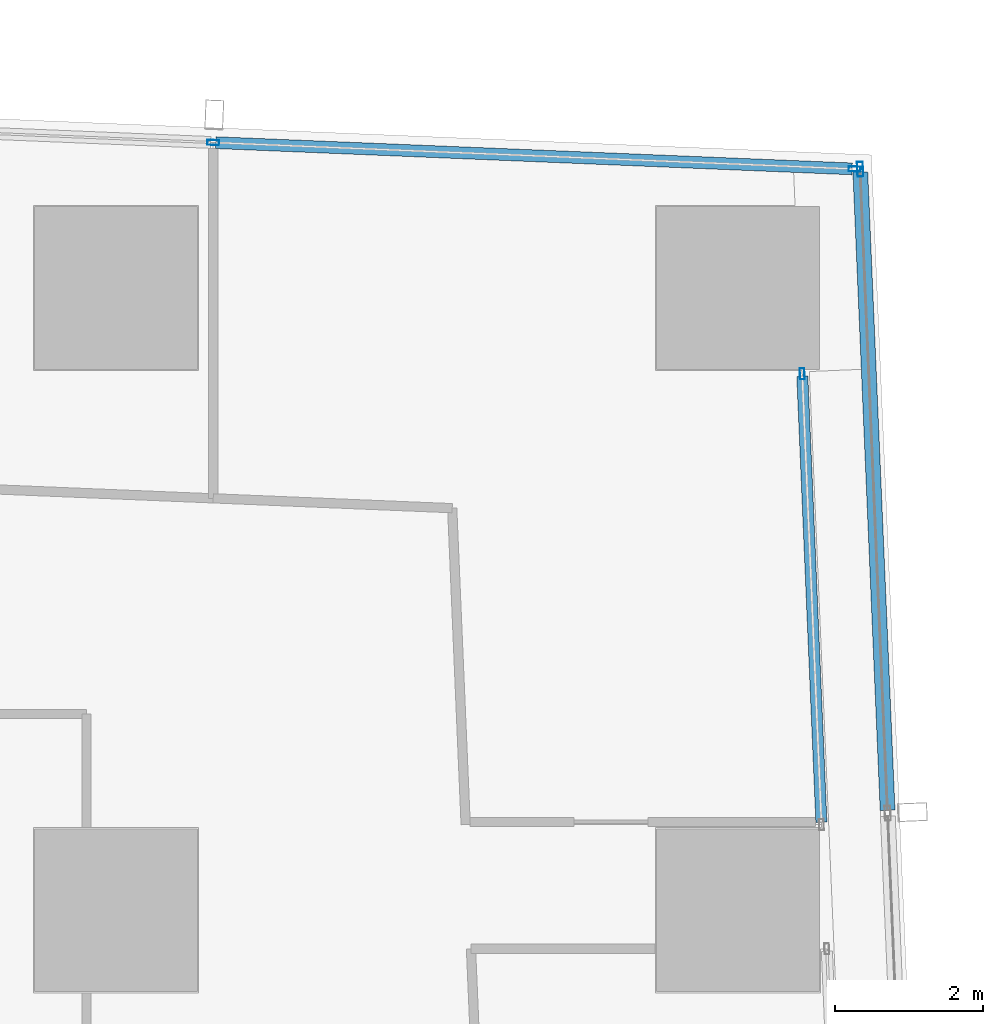
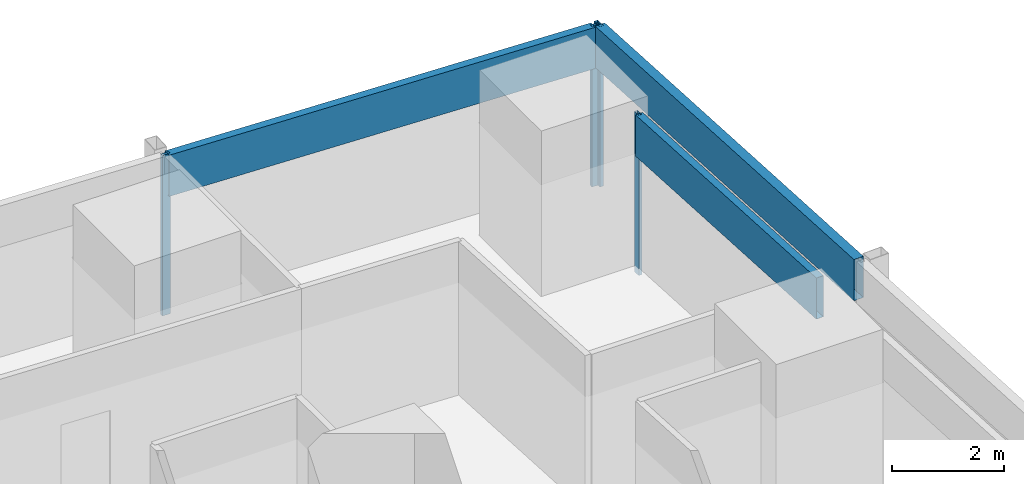
# One storey, part 23 of 44: 7 members, 3 elements without a shape of their own.
"""IFC4 building model written with IfcOpenShell, lengths in metres."""

from ifc_helpers import new_model, si_unit, direction, frame, origin, origin_2d, place, context, subcontext, project, spatial, hollow_rectangle, extrude, material, material_profile, profile_set, type_object, element, aggregate, save


model = new_model("IFC4")

# Units and contexts
model_context = context("Model", 3, precision=1e-05, world=origin(), true_north=direction((0.0, 1.0)))
body_context = subcontext(model_context, "Body", "Model", "MODEL_VIEW")
ifc_project = project(units=[si_unit("LENGTHUNIT", "METRE"), si_unit("AREAUNIT", "SQUARE_METRE"), si_unit("VOLUMEUNIT", "CUBIC_METRE"), si_unit("PLANEANGLEUNIT", "RADIAN"), si_unit("MASSUNIT", "GRAM", prefix="KILO")], contexts=[model_context])

# Site, building, storey
site_placement = place(None, origin())
site = spatial("IfcSite", under=ifc_project, at=site_placement, CompositionType="ELEMENT")
building_placement = place(site_placement, origin())
building = spatial("IfcBuilding", under=site, at=building_placement, Name="Rekha Terrace Tower", CompositionType="ELEMENT")
storey_placement = place(building_placement, frame((0.0, 0.0, 47.89990234375)))
storey = spatial("IfcBuildingStorey", under=building, at=storey_placement, Name="L11", CompositionType="ELEMENT", Elevation=47.89990234375)

# Curtain wall, members
ifc_material_1 = material(Name="Aluminium framing", Category="aluminium")
curtain_wall_type_1 = type_object("IfcCurtainWallType", Name="CW1 double skin inner glazing", PredefinedType="USERDEFINED", material=ifc_material_1)
curtain_wall_1_placement = place(storey_placement, origin())
curtain_wall_1 = element("IfcCurtainWall", 1, at=curtain_wall_1_placement, inside=storey, type_object=curtain_wall_type_1, Name="CW1 double skin inner glazing", ObjectType="DOUBLE SKIN INNER GLAZING", PredefinedType="USERDEFINED")
ifc_material_2 = material(Name="Aluminium mullion section", Category="aluminium")
ifc_material_profile_1 = material_profile(ifc_material_2, hollow_rectangle(XDim=0.06494140625, YDim=0.14990234375, WallThickness=0.00390625, at=origin_2d()), Name="AL RHS 65x150")
ifc_profile_set_1 = profile_set([ifc_material_profile_1], Name="Aluminium mullion section")
member_type_1 = type_object("IfcMemberType", Name="CW1 mullion RHS 65 x 150", PredefinedType="MULLION", material=ifc_profile_set_1)
member_1_placement = place(storey_placement, frame((68.0654296875, 57.6435546875, 0.0), z_axis=(0.0, 0.0, 1.0), x_axis=(-0.9990881069, -0.042696073026, 0.0)))
member_1 = element("IfcMember", 2, at=member_1_placement, type_object=member_type_1, Name="CW1 mullion 2", PredefinedType="MULLION", context=body_context, shape_type="SweptSolid", body=[
    extrude(hollow_rectangle(XDim=0.06494140625, YDim=0.14990234375, WallThickness=0.00390625, at=origin_2d()), origin(), (0.0, 0.0, 1.0), 3.5),
])
ifc_material_3 = material(Name="Insulated aluminium spandrel box", Category="aluminium")
ifc_material_profile_2 = material_profile(ifc_material_3, hollow_rectangle(XDim=0.14990234375, YDim=0.89990234375, WallThickness=0.0029296875, at=origin_2d()), Name="AL SPANDREL BOX 150x900")
ifc_profile_set_2 = profile_set([ifc_material_profile_2], Name="Insulated aluminium spandrel box")
member_type_2 = type_object("IfcMemberType", Name="CW1 spandrel transom 150 x 900", PredefinedType="USERDEFINED", material=ifc_profile_set_2)
member_2_placement = place(storey_placement, frame((68.32421875, 51.5888671875, 3.050048828125), z_axis=(-0.042730627731, 0.999086629604, 0.0), x_axis=(-0.999086629604, -0.042730627731, 0.0)))
member_2 = element("IfcMember", 3, at=member_2_placement, type_object=member_type_2, Name="CW1 spandrel transom 1", ObjectType="TRANSOM", PredefinedType="USERDEFINED", context=body_context, shape_type="SweptSolid", body=[
    extrude(hollow_rectangle(XDim=0.14990234375, YDim=0.89990234375, WallThickness=0.0029296875, at=origin_2d()), origin(), (0.0, 0.0, 1.0), 6.02783203125),
])
aggregate(curtain_wall_1, [member_1, member_2])

curtain_wall_type_2 = type_object("IfcCurtainWallType", Name="CW2 double skin outer glazing", PredefinedType="USERDEFINED", material=ifc_material_1)
curtain_wall_2_placement = place(storey_placement, origin())
curtain_wall_2 = element("IfcCurtainWall", 4, at=curtain_wall_2_placement, inside=storey, type_object=curtain_wall_type_2, Name="CW2 double skin outer glazing", ObjectType="DOUBLE SKIN OUTER GLAZING", PredefinedType="USERDEFINED")
ifc_material_profile_3 = material_profile(ifc_material_2, hollow_rectangle(XDim=0.080078125, YDim=0.199951171875, WallThickness=0.00390625, at=origin_2d()), Name="AL RHS 80x200")
ifc_profile_set_3 = profile_set([ifc_material_profile_3], Name="Aluminium mullion section")
member_type_3 = type_object("IfcMemberType", Name="CW2 mullion RHS 80 x 200", PredefinedType="MULLION", material=ifc_profile_set_3)
member_3_placement = place(storey_placement, frame((68.84814453125, 60.40625, 0.0), z_axis=(0.0, 0.0, 1.0), x_axis=(-0.999088106903, -0.042696072956, 0.0)))
member_3 = element("IfcMember", 5, at=member_3_placement, type_object=member_type_3, Name="CW2 mullion 5", PredefinedType="MULLION", context=body_context, shape_type="SweptSolid", body=[
    extrude(hollow_rectangle(XDim=0.080078125, YDim=0.199951171875, WallThickness=0.00390625, at=origin_2d()), origin(), (0.0, 0.0, 1.0), 3.5),
])
ifc_material_profile_4 = material_profile(ifc_material_3, hollow_rectangle(XDim=0.199951171875, YDim=0.89990234375, WallThickness=0.0029296875, at=origin_2d()), Name="AL SPANDREL BOX 200x900")
ifc_profile_set_4 = profile_set([ifc_material_profile_4], Name="Insulated aluminium spandrel box")
member_type_4 = type_object("IfcMemberType", Name="CW2 spandrel transom 200 x 900", PredefinedType="USERDEFINED", material=ifc_profile_set_4)
member_4_placement = place(storey_placement, frame((69.218017578125, 51.750244140625, 3.050048828125), z_axis=(-0.042691483974, 0.999088303002, 0.0), x_axis=(-0.999088303002, -0.042691483974, 0.0)))
member_4 = element("IfcMember", 6, at=member_4_placement, type_object=member_type_4, Name="CW2 spandrel transom 4", ObjectType="TRANSOM", PredefinedType="USERDEFINED", context=body_context, shape_type="SweptSolid", body=[
    extrude(hollow_rectangle(XDim=0.199951171875, YDim=0.89990234375, WallThickness=0.0029296875, at=origin_2d()), origin(), (0.0, 0.0, 1.0), 8.623779296875),
])
aggregate(curtain_wall_2, [member_3, member_4])

curtain_wall_type_3 = type_object("IfcCurtainWallType", Name="CW3 north unitised glazing", PredefinedType="USERDEFINED", material=ifc_material_1)
curtain_wall_3_placement = place(storey_placement, origin())
curtain_wall_3 = element("IfcCurtainWall", 7, at=curtain_wall_3_placement, inside=storey, type_object=curtain_wall_type_3, Name="CW3 unitised curtain wall", ObjectType="UNITISED CURTAIN WALL", PredefinedType="USERDEFINED")
ifc_material_profile_5 = material_profile(ifc_material_2, hollow_rectangle(XDim=0.070068359375, YDim=0.159912109375, WallThickness=0.00390625, at=origin_2d()), Name="AL RHS 70x160")
ifc_profile_set_5 = profile_set([ifc_material_profile_5], Name="Aluminium mullion section")
member_type_5 = type_object("IfcMemberType", Name="CW3 mullion RHS 70 x 160", PredefinedType="MULLION", material=ifc_profile_set_5)
member_5_placement = place(storey_placement, frame((68.77294921875, 60.4091796875, 0.0), z_axis=(0.0, 0.0, 1.0), x_axis=(-0.041173846041, -0.999151997647, 0.0)))
member_5 = element("IfcMember", 8, at=member_5_placement, type_object=member_type_5, Name="CW3 mullion 1", PredefinedType="MULLION", context=body_context, shape_type="SweptSolid", body=[
    extrude(hollow_rectangle(XDim=0.070068359375, YDim=0.159912109375, WallThickness=0.00390625, at=origin_2d()), origin(), (0.0, 0.0, 1.0), 3.5),
])
member_6_placement = place(storey_placement, frame((60.111572265625, 60.76611328125, 0.0), z_axis=(0.0, 0.0, 1.0), x_axis=(-0.041173846041, -0.999151997647, 0.0)))
member_6 = element("IfcMember", 9, at=member_6_placement, type_object=member_type_5, Name="CW3 mullion 2", PredefinedType="MULLION", context=body_context, shape_type="SweptSolid", body=[
    extrude(hollow_rectangle(XDim=0.070068359375, YDim=0.159912109375, WallThickness=0.00390625, at=origin_2d()), origin(), (0.0, 0.0, 1.0), 3.5),
])
ifc_material_profile_6 = material_profile(ifc_material_3, hollow_rectangle(XDim=0.159912109375, YDim=0.89990234375, WallThickness=0.0029296875, at=origin_2d()), Name="AL SPANDREL BOX 160x900")
ifc_profile_set_6 = profile_set([ifc_material_profile_6], Name="Insulated aluminium spandrel box")
member_type_6 = type_object("IfcMemberType", Name="CW3 spandrel transom 160 x 900", PredefinedType="USERDEFINED", material=ifc_profile_set_6)
member_7_placement = place(storey_placement, frame((68.738037109375, 60.41064453125, 3.050048828125), z_axis=(-0.99915220621, 0.041168784604, 0.0), x_axis=(-0.041168784604, -0.99915220621, 0.0)))
member_7 = element("IfcMember", 10, at=member_7_placement, type_object=member_type_6, Name="CW3 spandrel transom 1", ObjectType="TRANSOM", PredefinedType="USERDEFINED", context=body_context, shape_type="SweptSolid", body=[
    extrude(hollow_rectangle(XDim=0.159912109375, YDim=0.89990234375, WallThickness=0.0029296875, at=origin_2d()), origin(), (0.0, 0.0, 1.0), 8.598876953125),
])
aggregate(curtain_wall_3, [member_5, member_6, member_7])

save(model, "model.ifc")
